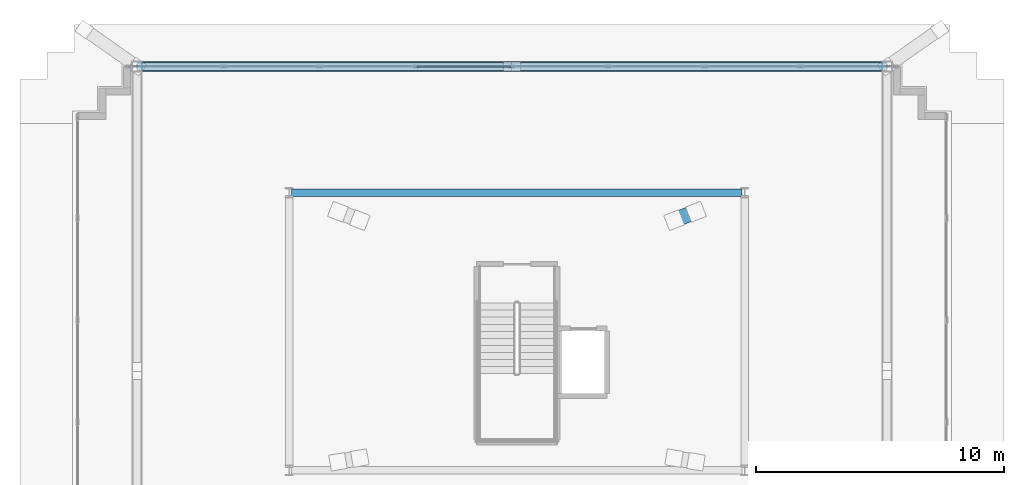
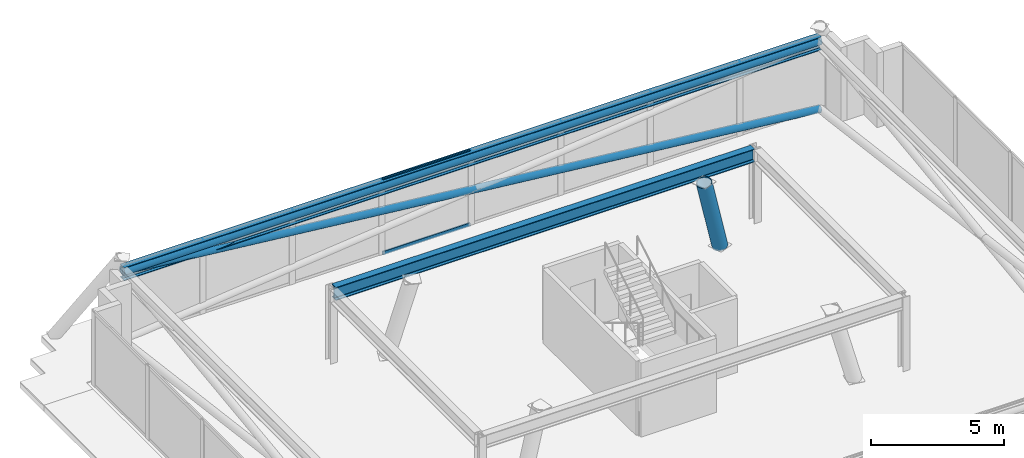
# One storey, part 9 of 18: 5 members, 2 beams, 1 element without a shape of its own.
"""IFC4 building model written with IfcOpenShell, lengths in metres."""

import ifcopenshell
import ifcopenshell.guid

model = None  # the IFC model being written
_history = None  # IfcOwnerHistory: only IFC2X3 demands one
_inside = {}  # id of a spatial element -> (the spatial element, [elements in it])
_under = {}  # id of a project, library or spatial element -> (it, [spatial elements below it])
_declared = {}  # id of a project -> (the project, [libraries it declares])
_typed = {}  # id of a type object -> (the type object, [elements of that type])
_made_of = {}  # id of a material, layer set ... -> (it, [elements and type objects made of it])


def new_model(schema):
    """Start an empty IFC model of exactly this schema.

    Asked for "IFC4X3", IfcOpenShell would pick the latest addendum, in which some entities
    have other attributes; the version numbers below select the first issue.
    IFC2X3 requires an IfcOwnerHistory on every rooted entity: one is made here for all.
    """
    global model, _history
    if schema == "IFC4X3":
        model = ifcopenshell.file(schema_version=(4, 3, 0, 0))
    else:
        model = ifcopenshell.file(schema=schema)
    _inside.clear()
    _under.clear()
    _declared.clear()
    _typed.clear()
    _made_of.clear()
    _history = None
    if model.schema == "IFC2X3":
        org = make("IfcOrganization", Name="unknown")
        user = make(
            "IfcPersonAndOrganization",
            ThePerson=make("IfcPerson", FamilyName="unknown"),
            TheOrganization=org,
        )
        app = make(
            "IfcApplication",
            ApplicationDeveloper=org,
            Version="unknown",
            ApplicationFullName="unknown",
            ApplicationIdentifier="unknown",
        )
        _history = make(
            "IfcOwnerHistory",
            OwningUser=user,
            OwningApplication=app,
            ChangeAction="ADDED",
            CreationDate=0,
        )
    return model


def make(cls, **values):
    """One entity of the class cls with the attributes given. An attribute that is None is left unset."""
    return model.create_entity(
        cls, **{name: value for name, value in values.items() if value is not None}
    )


def rooted(cls, **values):
    """An entity with a GlobalId (a new one), such as an element, a storey or a relation."""
    return make(cls, GlobalId=ifcopenshell.guid.new(), OwnerHistory=_history, **values)


def si_unit(unit_type, name, prefix=None):
    """IfcSIUnit, for example si_unit("LENGTHUNIT", "METRE", prefix="MILLI")."""
    return make("IfcSIUnit", UnitType=unit_type, Prefix=prefix, Name=name)


def assignment(units):
    """IfcUnitAssignment: the units of a project."""
    return None if units is None else make("IfcUnitAssignment", Units=units)


def point(xyz):
    """IfcCartesianPoint."""
    return None if xyz is None else make("IfcCartesianPoint", Coordinates=xyz)


def direction(xyz):
    """IfcDirection."""
    return None if xyz is None else make("IfcDirection", DirectionRatios=xyz)


def frame(location, z_axis=None, x_axis=None):
    """IfcAxis2Placement3D, a coordinate frame: its origin and axes. An axis left out is left unset."""
    return make(
        "IfcAxis2Placement3D",
        Location=point(location),
        Axis=direction(z_axis),
        RefDirection=direction(x_axis),
    )


def frame_2d(location, x_axis=None):
    """IfcAxis2Placement2D, a coordinate frame in the plane: its origin and x axis."""
    return make(
        "IfcAxis2Placement2D", Location=point(location), RefDirection=direction(x_axis)
    )


def origin():
    """The frame at (0, 0, 0) with its axes left unset."""
    return frame((0.0, 0.0, 0.0))


def origin_2d():
    """The frame at (0, 0) in the plane with its x axis left unset."""
    return frame_2d((0.0, 0.0))


def place(relative_to, where):
    """IfcLocalPlacement: puts the frame where relative to a parent placement (None: the world)."""
    return make(
        "IfcLocalPlacement", PlacementRelTo=relative_to, RelativePlacement=where
    )


def context(
    kind, dimensions, precision=None, world=None, true_north=None, identifier=None
):
    """IfcGeometricRepresentationContext, for example the 3D "Model" context."""
    return make(
        "IfcGeometricRepresentationContext",
        ContextIdentifier=identifier,
        ContextType=kind,
        CoordinateSpaceDimension=dimensions,
        Precision=precision,
        WorldCoordinateSystem=world,
        TrueNorth=true_north,
    )


def subcontext(parent, identifier, kind, view, scale=None):
    """IfcGeometricRepresentationSubContext, for example "Body" below "Model"."""
    return make(
        "IfcGeometricRepresentationSubContext",
        ContextIdentifier=identifier,
        ContextType=kind,
        ParentContext=parent,
        TargetScale=scale,
        TargetView=view,
    )


def project(units=None, contexts=None):
    """IfcProject with its units and contexts."""
    return rooted(
        "IfcProject",
        Name="project",
        RepresentationContexts=contexts,
        UnitsInContext=assignment(units),
    )


def spatial(cls, under=None, at=None, **own):
    """A site, building, storey or space (cls), placed at a placement, below another one or the project."""
    s = rooted(cls, ObjectPlacement=at, **own)
    if under is not None:
        _under.setdefault(under.id(), (under, []))[1].append(s)
    return s


def profile(cls, at=None, kind="AREA", **sizes):
    """A parametric profile (cls). Its sizes go by their IFC names, for example OverallWidth=200.0."""
    return make(cls, ProfileType=kind, Position=at, **sizes)


def hollow_rectangle(**sizes):
    """IfcRectangleHollowProfileDef."""
    return profile("IfcRectangleHollowProfileDef", **sizes)


def hollow_circle(**sizes):
    """IfcCircleHollowProfileDef."""
    return profile("IfcCircleHollowProfileDef", **sizes)


def i_section(**sizes):
    """IfcIShapeProfileDef."""
    return profile("IfcIShapeProfileDef", **sizes)


def extrude(swept, where, along, depth):
    """IfcExtrudedAreaSolid: the profile swept, set in the frame where, extruded along a direction by depth."""
    return make(
        "IfcExtrudedAreaSolid",
        SweptArea=swept,
        Position=where,
        ExtrudedDirection=direction(along),
        Depth=depth,
    )


def shape(context_of_items, identifier, shape_type, items):
    """IfcShapeRepresentation: the items that make up one representation, for example the "Body"."""
    return make(
        "IfcShapeRepresentation",
        ContextOfItems=context_of_items,
        RepresentationIdentifier=identifier,
        RepresentationType=shape_type,
        Items=items,
    )


def material(Name=None, Category=None):
    """IfcMaterial."""
    return make("IfcMaterial", Name=Name, Category=Category)


def layer(
    of_material, thickness, ventilated=None, Name=None, Category=None, Priority=None
):
    """IfcMaterialLayer: one layer of a wall or slab, of a material (None: an air gap)."""
    return make(
        "IfcMaterialLayer",
        Material=of_material,
        LayerThickness=thickness,
        IsVentilated=ventilated,
        Name=Name,
        Category=Category,
        Priority=Priority,
    )


def layer_set(layers, Name=None):
    """IfcMaterialLayerSet."""
    return make("IfcMaterialLayerSet", MaterialLayers=layers, LayerSetName=Name)


def material_profile(
    of_material, cross_section, Name=None, Category=None, Priority=None
):
    """IfcMaterialProfile: a cross section and its material."""
    return make(
        "IfcMaterialProfile",
        Name=Name,
        Material=of_material,
        Profile=cross_section,
        Priority=Priority,
        Category=Category,
    )


def profile_set(profiles, Name=None, composite=None):
    """IfcMaterialProfileSet."""
    return make(
        "IfcMaterialProfileSet",
        Name=Name,
        MaterialProfiles=profiles,
        CompositeProfile=composite,
    )


def made_of(thing, what):
    """Note that an element or type object is made of a material, layer set ...; save() writes the relation."""
    if what is not None:
        _made_of.setdefault(what.id(), (what, []))[1].append(thing)
    return thing


def type_object(cls, material=None, **own):
    """A type object (cls), such as IfcWallType, which elements share."""
    return made_of(rooted(cls, **own), material)


def element(
    cls,
    number,
    at=None,
    inside=None,
    cuts=None,
    type_object=None,
    material=None,
    context=None,
    identifier="Body",
    shape_type=None,
    held_by="IfcProductDefinitionShape",
    body=None,
    shapes=None,
    **own,
):
    """One element of the class cls, such as IfcWall. Its Tag is "e" and its number.

    at: its placement. inside: the storey or other place that contains it. cuts: it is an
    opening in that element (IfcRelVoidsElement). A single representation is given by context,
    identifier, shape_type and body (its items); several are given by shapes. held_by: the class
    of the entity that holds the representations. save() writes the other relations.
    """
    e = rooted(cls, Tag="e%d" % number, ObjectPlacement=at, **own)
    if body is not None:
        shapes = [shape(context, identifier, shape_type, body)]
    if shapes is not None:
        e.Representation = make(held_by, Representations=shapes)
    if inside is not None:
        _inside.setdefault(inside.id(), (inside, []))[1].append(e)
    if cuts is not None:
        rooted(
            "IfcRelVoidsElement", RelatingBuildingElement=cuts, RelatedOpeningElement=e
        )
    if type_object is not None:
        _typed.setdefault(type_object.id(), (type_object, []))[1].append(e)
    return made_of(e, material)


def aggregate(whole, parts):
    """IfcRelAggregates: a whole, such as a stair, and the parts it consists of."""
    return rooted("IfcRelAggregates", RelatingObject=whole, RelatedObjects=parts)


def save(model, path):
    """Write the relations noted so far, then the file.

    IfcRelAggregates (storeys below a building ...), IfcRelContainedInSpatialStructure (elements
    in a storey), IfcRelDefinesByType, IfcRelAssociatesMaterial and IfcRelDeclares: one each for
    every whole, place, type object, material and project.
    """
    for whole, parts in _under.values():
        aggregate(whole, parts)
    for where, things in _inside.values():
        rooted(
            "IfcRelContainedInSpatialStructure",
            RelatedElements=things,
            RelatingStructure=where,
        )
    for kind, things in _typed.values():
        rooted("IfcRelDefinesByType", RelatedObjects=things, RelatingType=kind)
    for what, things in _made_of.values():
        rooted("IfcRelAssociatesMaterial", RelatedObjects=things, RelatingMaterial=what)
    for by, libraries in _declared.values():
        rooted("IfcRelDeclares", RelatingContext=by, RelatedDefinitions=libraries)
    model.write(path)


model = new_model("IFC4")

# Units and contexts
model_context = context("Model", 3, precision=1e-05, world=origin(), true_north=direction((0.0, 1.0)))
body_context = subcontext(model_context, "Body", "Model", "MODEL_VIEW")
ifc_project = project(units=[si_unit("LENGTHUNIT", "METRE"), si_unit("AREAUNIT", "SQUARE_METRE"), si_unit("VOLUMEUNIT", "CUBIC_METRE"), si_unit("PLANEANGLEUNIT", "RADIAN"), si_unit("MASSUNIT", "GRAM", prefix="KILO")], contexts=[model_context])

# Site, building, storey
site_placement = place(None, origin())
site = spatial("IfcSite", under=ifc_project, at=site_placement, CompositionType="ELEMENT")
building_placement = place(site_placement, origin())
building = spatial("IfcBuilding", under=site, at=building_placement, Name="Qobustan Lattice House", CompositionType="ELEMENT")
storey_placement = place(building_placement, frame((0.0, 0.0, 277.800048828125)))
storey = spatial("IfcBuildingStorey", under=building, at=storey_placement, Name="L78", CompositionType="ELEMENT", Elevation=277.800048828125)

# Beams
ifc_material_1 = material(Name="Steel S355", Category="steel")
ifc_material_profile_1 = material_profile(ifc_material_1, i_section(OverallWidth=0.300048828125, OverallDepth=0.60009765625, WebThickness=0.015380859375, FlangeThickness=0.030029296875, FilletRadius=0.027099609375, at=origin_2d()), Name="HEB600")
ifc_profile_set_1 = profile_set([ifc_material_profile_1], Name="Steel S355")
beam_type = type_object("IfcBeamType", Name="BM-POD-HEB600", PredefinedType="USERDEFINED", material=ifc_profile_set_1)
beam_1_placement = place(storey_placement, frame((9.10009765625, 5.60009765625, 3.099853515625), z_axis=(-1.0, 0.0, 0.0), x_axis=(0.0, -1.0, 0.0)))
element("IfcBeam", 1, at=beam_1_placement, inside=storey, type_object=beam_type, Name="L78 crown support ring girder 3", ObjectType="GIRDER", PredefinedType="USERDEFINED", context=body_context, shape_type="SweptSolid", body=[
    extrude(i_section(OverallWidth=0.300048828125, OverallDepth=0.60009765625, WebThickness=0.015380859375, FlangeThickness=0.030029296875, FilletRadius=0.027099609375, at=origin_2d()), origin(), (0.0, 0.0, 1.0), 18.2001953125),
])
beam_2_placement = place(storey_placement, frame((14.946533203125, 10.70361328125, 3.099853515625), z_axis=(-1.0, 0.0, 0.0), x_axis=(0.0, -1.0, 0.0)))
element("IfcBeam", 2, at=beam_2_placement, inside=storey, type_object=beam_type, Name="L78 crown perimeter ring beam 3", ObjectType="GIRDER", PredefinedType="USERDEFINED", context=body_context, shape_type="SweptSolid", body=[
    extrude(i_section(OverallWidth=0.300048828125, OverallDepth=0.60009765625, WebThickness=0.015380859375, FlangeThickness=0.030029296875, FilletRadius=0.027099609375, at=origin_2d()), origin(), (0.0, 0.0, 1.0), 30.29296875),
])

# Curtain wall, members
ifc_material_2 = material(Name="Anodised aluminium and low-E glazing", Category="aluminium")
ifc_layer = layer(ifc_material_2, 0.219970703125)
ifc_layer_set = layer_set([ifc_layer], Name="Anodised aluminium and low-E glazing")
curtain_wall_type = type_object("IfcCurtainWallType", Name="CW-CRN-01", PredefinedType="USERDEFINED", material=ifc_layer_set)
curtain_wall_placement = place(storey_placement, origin())
curtain_wall = element("IfcCurtainWall", 3, at=curtain_wall_placement, inside=storey, type_object=curtain_wall_type, Name="L78 glass-point crown faceted curtain wall 10", ObjectType="CURTAIN WALL", PredefinedType="USERDEFINED")
ifc_material_3 = material(Name="Anodised aluminium EN AW-6063 T6", Category="aluminium")
ifc_material_profile_2 = material_profile(ifc_material_3, hollow_rectangle(XDim=0.06494140625, YDim=0.159912109375, WallThickness=0.00390625, at=origin_2d()), Name="CWT-160x65")
ifc_profile_set_2 = profile_set([ifc_material_profile_2], Name="Anodised aluminium EN AW-6063 T6")
member_type_1 = type_object("IfcMemberType", Name="CWT-HOR-160", PredefinedType="USERDEFINED", material=ifc_profile_set_2)
member_1_placement = place(storey_placement, frame((-4.04150390625, 10.70361328125, 0.032470703125), z_axis=(1.0, 0.0, 0.0), x_axis=(0.0, 1.0, 0.0)))
member_1 = element("IfcMember", 4, at=member_1_placement, type_object=member_type_1, Name="CW-CR transom 4.1", ObjectType="TRANSOM", PredefinedType="USERDEFINED", context=body_context, shape_type="SweptSolid", body=[
    extrude(hollow_rectangle(XDim=0.06494140625, YDim=0.159912109375, WallThickness=0.00390625, at=origin_2d()), origin(), (0.0, 0.0, 1.0), 3.79638671875),
])
member_2_placement = place(storey_placement, frame((-4.04150390625, 10.70361328125, 3.367431640625), z_axis=(1.0, 0.0, 0.0), x_axis=(0.0, 1.0, 0.0)))
member_2 = element("IfcMember", 5, at=member_2_placement, type_object=member_type_1, Name="CW-CR transom 4.2", ObjectType="TRANSOM", PredefinedType="USERDEFINED", context=body_context, shape_type="SweptSolid", body=[
    extrude(hollow_rectangle(XDim=0.06494140625, YDim=0.159912109375, WallThickness=0.00390625, at=origin_2d()), origin(), (0.0, 0.0, 1.0), 3.79638671875),
])
aggregate(curtain_wall, [member_1, member_2])

# Members
ifc_material_4 = material(Name="Steel S355", Category="steel")
ifc_material_profile_3 = material_profile(ifc_material_4, hollow_circle(Radius=0.161865234375, WallThickness=0.012451171875, at=origin_2d()), Name="CHS323.9x12.5")
ifc_profile_set_3 = profile_set([ifc_material_profile_3], Name="Steel S355")
member_type_2 = type_object("IfcMemberType", Name="MEM-CBR-CHS324", PredefinedType="BRACE", material=ifc_profile_set_3)
member_3_placement = place(storey_placement, frame((14.946533203125, 10.70361328125, 0.014892578125), z_axis=(-0.99458614664, 0.0, 0.103915335308), x_axis=(0.0, -1.0, 0.0)))
element("IfcMember", 6, at=member_3_placement, inside=storey, type_object=member_type_2, Name="L78 crown diagrid continuous brace 3A", PredefinedType="BRACE", context=body_context, shape_type="SweptSolid", body=[
    extrude(hollow_circle(Radius=0.161865234375, WallThickness=0.012451171875, at=origin_2d()), origin(), (0.0, 0.0, 1.0), 30.457763671875),
])
ifc_material_5 = material(Name="Steel S355", Category="steel")
ifc_material_profile_4 = material_profile(ifc_material_5, hollow_circle(Radius=0.203125, WallThickness=0.01611328125, at=origin_2d()), Name="CHS406.4x16")
ifc_profile_set_4 = profile_set([ifc_material_profile_4], Name="Steel S355")
member_type_3 = type_object("IfcMemberType", Name="MEM-RNG-CHS406", PredefinedType="CHORD", material=ifc_profile_set_4)
member_4_placement = place(storey_placement, frame((14.946533203125, 10.70361328125, 3.179931640625), z_axis=(-1.0, 0.0, 0.0), x_axis=(0.0, -1.0, 0.0)))
element("IfcMember", 7, at=member_4_placement, inside=storey, type_object=member_type_3, Name="L78 crown ring chord 3", PredefinedType="CHORD", context=body_context, shape_type="SweptSolid", body=[
    extrude(hollow_circle(Radius=0.203125, WallThickness=0.01611328125, at=origin_2d()), origin(), (0.0, 0.0, 1.0), 30.29296875),
])
ifc_material_6 = material(Name="Steel S355", Category="steel")
ifc_material_profile_5 = material_profile(ifc_material_6, hollow_circle(Radius=0.304931640625, WallThickness=0.02490234375, at=origin_2d()), Name="CHS610x25")
ifc_profile_set_5 = profile_set([ifc_material_profile_5], Name="Steel S355")
member_type_4 = type_object("IfcMemberType", Name="MEM-SPR-CHS610", PredefinedType="USERDEFINED", material=ifc_profile_set_5)
member_5_placement = place(storey_placement, frame((7.2294921875, 4.840087890625, 0.0), z_axis=(-0.249765080098, -0.096377494896, 0.963498200954), x_axis=(0.360000616832, -0.932952065157, 0.0)))
element("IfcMember", 8, at=member_5_placement, inside=storey, type_object=member_type_4, Name="L78 crown spire leg SL3", ObjectType="CROWN FRAME", PredefinedType="USERDEFINED", context=body_context, shape_type="SweptSolid", body=[
    extrude(hollow_circle(Radius=0.304931640625, WallThickness=0.02490234375, at=origin_2d()), origin(), (0.0, 0.0, 1.0), 3.52880859375),
])

save(model, "model.ifc")
